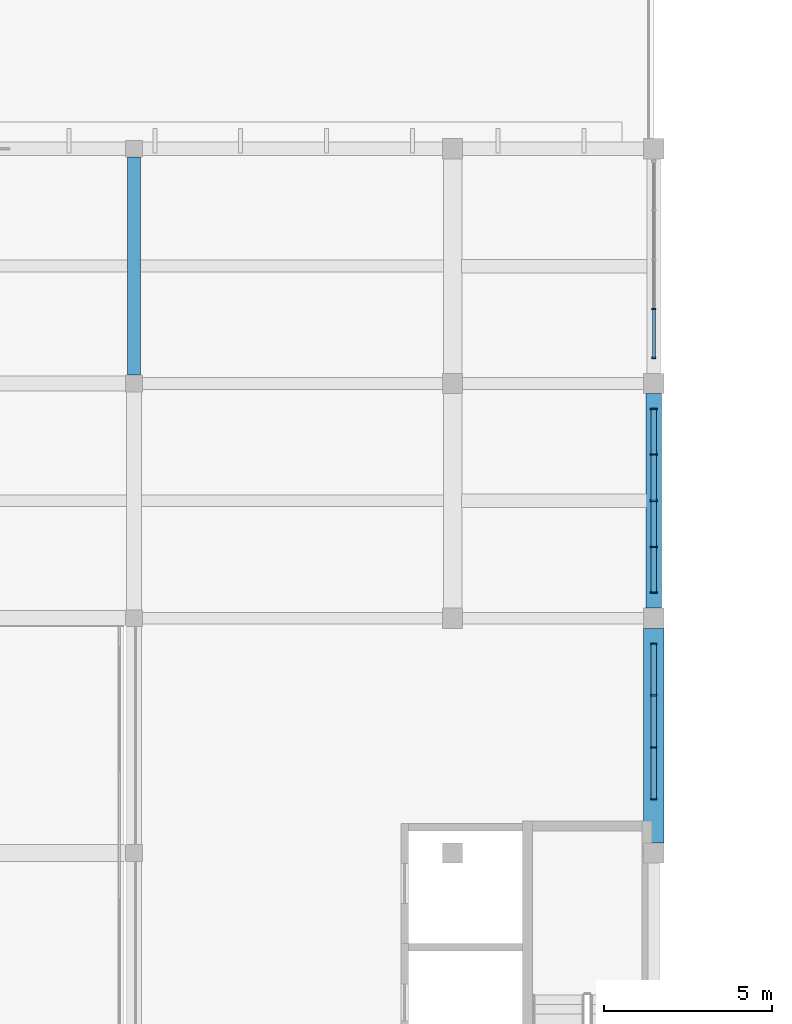
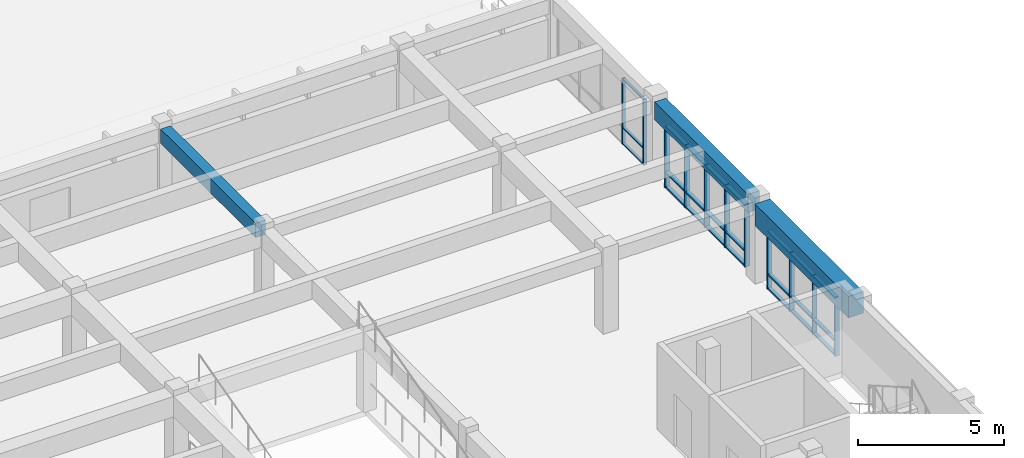
# One storey, part 14 of 33: 35 members, 3 beams, 3 elements without a shape of their own.
"""IFC4 building model written with IfcOpenShell, lengths in metres."""

from ifc_helpers import new_model, si_unit, direction, frame, origin, origin_2d, place, context, subcontext, project, spatial, rectangle, extrude, material, material_profile, profile_set, type_object, element, aggregate, save


model = new_model("IFC4")

# Units and contexts
model_context = context("Model", 3, precision=1e-05, world=origin(), true_north=direction((0.0, 1.0)))
body_context = subcontext(model_context, "Body", "Model", "MODEL_VIEW")
ifc_project = project(units=[si_unit("LENGTHUNIT", "METRE"), si_unit("AREAUNIT", "SQUARE_METRE"), si_unit("VOLUMEUNIT", "CUBIC_METRE"), si_unit("PLANEANGLEUNIT", "RADIAN"), si_unit("MASSUNIT", "GRAM", prefix="KILO")], contexts=[model_context])

# Site, building, storey
site_placement = place(None, origin())
site = spatial("IfcSite", under=ifc_project, at=site_placement, CompositionType="ELEMENT")
building_placement = place(site_placement, origin())
building = spatial("IfcBuilding", under=site, at=building_placement, Name="Larkveld Mobility Hub", CompositionType="ELEMENT")
storey_placement = place(building_placement, frame((0.0, 0.0, 15.60009765625)))
storey = spatial("IfcBuildingStorey", under=building, at=storey_placement, Name="L04", CompositionType="ELEMENT", Elevation=15.60009765625)

# Beams
ifc_material_1 = material(Name="Concrete C40/50", Category="concrete")
ifc_material_profile_1 = material_profile(ifc_material_1, rectangle(XDim=0.39990234375, YDim=0.60009765625, at=origin_2d()), Name="RC BM 400x600")
ifc_profile_set_1 = profile_set([ifc_material_profile_1], Name="Concrete C40/50")
beam_type_1 = type_object("IfcBeamType", Name="BM-RC4060", PredefinedType="BEAM", material=ifc_profile_set_1)
beam_1_placement = place(storey_placement, frame((136.5, 77.25, 3.059814453125), z_axis=(0.0, 1.0, 0.0), x_axis=(-1.0, 0.0, 0.0)))
element("IfcBeam", 1, at=beam_1_placement, inside=storey, type_object=beam_type_1, Name="Primary N-S Girder L04-0922", PredefinedType="BEAM", context=body_context, shape_type="SweptSolid", body=[
    extrude(rectangle(XDim=0.39990234375, YDim=0.60009765625, at=origin_2d()), origin(), (0.0, 0.0, 1.0), 6.5),
])
ifc_material_profile_2 = material_profile(ifc_material_1, rectangle(XDim=0.449951171875, YDim=0.75, at=origin_2d()), Name="RC BM 450x750")
ifc_profile_set_2 = profile_set([ifc_material_profile_2], Name="Concrete C40/50")
beam_type_2 = type_object("IfcBeamType", Name="BM-RC4575", PredefinedType="BEAM", material=ifc_profile_set_2)
beam_2_placement = place(storey_placement, frame((152.0, 70.300048828125, 2.98486328125), z_axis=(0.0, 1.0, 0.0), x_axis=(-1.0, 0.0, 0.0)))
element("IfcBeam", 2, at=beam_2_placement, inside=storey, type_object=beam_type_2, Name="Primary N-S Girder L04-0939", PredefinedType="BEAM", context=body_context, shape_type="SweptSolid", body=[
    extrude(rectangle(XDim=0.449951171875, YDim=0.75, at=origin_2d()), origin(), (0.0, 0.0, 1.0), 6.39990234375),
])
ifc_material_profile_3 = material_profile(ifc_material_1, rectangle(XDim=0.60009765625, YDim=0.89990234375, at=origin_2d()), Name="RC BM 600x900")
ifc_profile_set_3 = profile_set([ifc_material_profile_3], Name="Concrete C40/50")
beam_type_3 = type_object("IfcBeamType", Name="BM-RC6090", PredefinedType="BEAM", material=ifc_profile_set_3)
beam_3_placement = place(storey_placement, frame((152.0, 63.300048828125, 2.909912109375), z_axis=(0.0, 1.0, 0.0), x_axis=(-1.0, 0.0, 0.0)))
element("IfcBeam", 3, at=beam_3_placement, inside=storey, type_object=beam_type_3, Name="Primary N-S Girder L04-0938", PredefinedType="BEAM", context=body_context, shape_type="SweptSolid", body=[
    extrude(rectangle(XDim=0.60009765625, YDim=0.89990234375, at=origin_2d()), origin(), (0.0, 0.0, 1.0), 6.39990234375),
])

# Curtain wall, members
ifc_material_2 = material(Name="Anodised aluminium 6063-T6", Category="aluminium")
curtain_wall_type_1 = type_object("IfcCurtainWallType", Name="CW-SYS-02", PredefinedType="NOTDEFINED", material=ifc_material_2)
curtain_wall_1_placement = place(storey_placement, origin())
curtain_wall_1 = element("IfcCurtainWall", 4, at=curtain_wall_1_placement, inside=storey, type_object=curtain_wall_type_1, Name="Upper Mobility and Sports East Glazing L04 CW-158", PredefinedType="NOTDEFINED")
ifc_material_profile_4 = material_profile(ifc_material_2, rectangle(XDim=0.050048828125, YDim=0.179931640625, at=origin_2d()), Name="ALU MULL 50x180")
ifc_profile_set_4 = profile_set([ifc_material_profile_4], Name="Anodised aluminium 6063-T6")
member_type_1 = type_object("IfcMemberType", Name="CW-MUL-02", PredefinedType="MULLION", material=ifc_profile_set_4)
member_1_placement = place(storey_placement, frame((152.0, 64.60498046875, -0.002197265625), z_axis=(0.0, 0.0, 1.0), x_axis=(0.0, 1.0, 0.0)))
member_1 = element("IfcMember", 5, at=member_1_placement, type_object=member_type_1, Name="CW02 mullion 1", PredefinedType="MULLION", context=body_context, shape_type="SweptSolid", body=[
    extrude(rectangle(XDim=0.050048828125, YDim=0.179931640625, at=origin_2d()), origin(), (0.0, 0.0, 1.0), 2.462158203125),
])
member_2_placement = place(storey_placement, frame((152.0, 66.139892578125, -0.002197265625), z_axis=(0.0, 0.0, 1.0), x_axis=(0.0, 1.0, 0.0)))
member_2 = element("IfcMember", 6, at=member_2_placement, type_object=member_type_1, Name="CW02 mullion 2", PredefinedType="MULLION", context=body_context, shape_type="SweptSolid", body=[
    extrude(rectangle(XDim=0.050048828125, YDim=0.179931640625, at=origin_2d()), origin(), (0.0, 0.0, 1.0), 2.462158203125),
])
member_3_placement = place(storey_placement, frame((152.0, 67.699951171875, -0.002197265625), z_axis=(0.0, 0.0, 1.0), x_axis=(0.0, 1.0, 0.0)))
member_3 = element("IfcMember", 7, at=member_3_placement, type_object=member_type_1, Name="CW02 mullion 3", PredefinedType="MULLION", context=body_context, shape_type="SweptSolid", body=[
    extrude(rectangle(XDim=0.050048828125, YDim=0.179931640625, at=origin_2d()), origin(), (0.0, 0.0, 1.0), 2.462158203125),
])
member_4_placement = place(storey_placement, frame((152.0, 69.235107421875, -0.002197265625), z_axis=(0.0, 0.0, 1.0), x_axis=(0.0, 1.0, 0.0)))
member_4 = element("IfcMember", 8, at=member_4_placement, type_object=member_type_1, Name="CW02 mullion 4", PredefinedType="MULLION", context=body_context, shape_type="SweptSolid", body=[
    extrude(rectangle(XDim=0.050048828125, YDim=0.179931640625, at=origin_2d()), origin(), (0.0, 0.0, 1.0), 2.462158203125),
])

curtain_wall_type_2 = type_object("IfcCurtainWallType", Name="CW-SYS-03", PredefinedType="NOTDEFINED", material=ifc_material_2)
curtain_wall_2_placement = place(storey_placement, origin())
curtain_wall_2 = element("IfcCurtainWall", 9, at=curtain_wall_2_placement, inside=storey, type_object=curtain_wall_type_2, Name="Upper Mobility and Sports East Glazing L04 CW-159", PredefinedType="NOTDEFINED")
ifc_material_profile_5 = material_profile(ifc_material_2, rectangle(XDim=0.050048828125, YDim=0.2099609375, at=origin_2d()), Name="ALU MULL 50x210")
ifc_profile_set_5 = profile_set([ifc_material_profile_5], Name="Anodised aluminium 6063-T6")
member_type_2 = type_object("IfcMemberType", Name="CW-MUL-03", PredefinedType="MULLION", material=ifc_profile_set_5)
member_5_placement = place(storey_placement, frame((152.0, 70.764892578125, -0.002197265625), z_axis=(0.0, 0.0, 1.0), x_axis=(0.0, 1.0, 0.0)))
member_5 = element("IfcMember", 10, at=member_5_placement, type_object=member_type_2, Name="CW03 mullion 1", PredefinedType="MULLION", context=body_context, shape_type="SweptSolid", body=[
    extrude(rectangle(XDim=0.050048828125, YDim=0.2099609375, at=origin_2d()), origin(), (0.0, 0.0, 1.0), 2.612060546875),
])
member_6_placement = place(storey_placement, frame((152.0, 72.1201171875, -0.002197265625), z_axis=(0.0, 0.0, 1.0), x_axis=(0.0, 1.0, 0.0)))
member_6 = element("IfcMember", 11, at=member_6_placement, type_object=member_type_2, Name="CW03 mullion 2", PredefinedType="MULLION", context=body_context, shape_type="SweptSolid", body=[
    extrude(rectangle(XDim=0.050048828125, YDim=0.2099609375, at=origin_2d()), origin(), (0.0, 0.0, 1.0), 2.612060546875),
])
member_7_placement = place(storey_placement, frame((152.0, 73.5, -0.002197265625), z_axis=(0.0, 0.0, 1.0), x_axis=(0.0, 1.0, 0.0)))
member_7 = element("IfcMember", 12, at=member_7_placement, type_object=member_type_2, Name="CW03 mullion 3", PredefinedType="MULLION", context=body_context, shape_type="SweptSolid", body=[
    extrude(rectangle(XDim=0.050048828125, YDim=0.2099609375, at=origin_2d()), origin(), (0.0, 0.0, 1.0), 2.612060546875),
])
member_8_placement = place(storey_placement, frame((152.0, 74.8798828125, -0.002197265625), z_axis=(0.0, 0.0, 1.0), x_axis=(0.0, 1.0, 0.0)))
member_8 = element("IfcMember", 13, at=member_8_placement, type_object=member_type_2, Name="CW03 mullion 4", PredefinedType="MULLION", context=body_context, shape_type="SweptSolid", body=[
    extrude(rectangle(XDim=0.050048828125, YDim=0.2099609375, at=origin_2d()), origin(), (0.0, 0.0, 1.0), 2.612060546875),
])
member_9_placement = place(storey_placement, frame((152.0, 76.235107421875, -0.002197265625), z_axis=(0.0, 0.0, 1.0), x_axis=(0.0, 1.0, 0.0)))
member_9 = element("IfcMember", 14, at=member_9_placement, type_object=member_type_2, Name="CW03 mullion 5", PredefinedType="MULLION", context=body_context, shape_type="SweptSolid", body=[
    extrude(rectangle(XDim=0.050048828125, YDim=0.2099609375, at=origin_2d()), origin(), (0.0, 0.0, 1.0), 2.612060546875),
])

curtain_wall_type_3 = type_object("IfcCurtainWallType", Name="CW-SYS-04", PredefinedType="NOTDEFINED", material=ifc_material_2)
curtain_wall_3_placement = place(storey_placement, origin())
curtain_wall_3 = element("IfcCurtainWall", 15, at=curtain_wall_3_placement, inside=storey, type_object=curtain_wall_type_3, Name="Upper Mobility and Sports East Glazing L04 CW-160", PredefinedType="NOTDEFINED")
ifc_material_profile_6 = material_profile(ifc_material_2, rectangle(XDim=0.050048828125, YDim=0.1298828125, at=origin_2d()), Name="ALU MULL 50x130")
ifc_profile_set_6 = profile_set([ifc_material_profile_6], Name="Anodised aluminium 6063-T6")
member_type_3 = type_object("IfcMemberType", Name="CW-MUL-04", PredefinedType="MULLION", material=ifc_profile_set_6)
member_10_placement = place(storey_placement, frame((152.0, 77.764892578125, -0.002197265625), z_axis=(0.0, 0.0, 1.0), x_axis=(0.0, 1.0, 0.0)))
member_10 = element("IfcMember", 16, at=member_10_placement, type_object=member_type_3, Name="CW04 mullion 1", PredefinedType="MULLION", context=body_context, shape_type="SweptSolid", body=[
    extrude(rectangle(XDim=0.050048828125, YDim=0.1298828125, at=origin_2d()), origin(), (0.0, 0.0, 1.0), 2.76220703125),
])
member_11_placement = place(storey_placement, frame((152.0, 79.218017578125, -0.002197265625), z_axis=(0.0, 0.0, 1.0), x_axis=(0.0, 1.0, 0.0)))
member_11 = element("IfcMember", 17, at=member_11_placement, type_object=member_type_3, Name="CW04 mullion 2", PredefinedType="MULLION", context=body_context, shape_type="SweptSolid", body=[
    extrude(rectangle(XDim=0.050048828125, YDim=0.1298828125, at=origin_2d()), origin(), (0.0, 0.0, 1.0), 2.76220703125),
])

# Member
ifc_material_profile_7 = material_profile(ifc_material_2, rectangle(XDim=0.14990234375, YDim=0.050048828125, at=origin_2d()), Name="ALU TRAN 50x150")
ifc_profile_set_7 = profile_set([ifc_material_profile_7], Name="Anodised aluminium 6063-T6")
member_type_4 = type_object("IfcMemberType", Name="CW-TRN-02", PredefinedType="USERDEFINED", material=ifc_profile_set_7)
member_12_placement = place(storey_placement, frame((152.0, 64.614990234375, 0.02978515625), z_axis=(0.0, 1.0, 0.0), x_axis=(-1.0, 0.0, 0.0)))
member_12 = element("IfcMember", 18, at=member_12_placement, type_object=member_type_4, Name="CW02 transom 1.1", ObjectType="TRANSOM", PredefinedType="USERDEFINED", context=body_context, shape_type="SweptSolid", body=[
    extrude(rectangle(XDim=0.14990234375, YDim=0.050048828125, at=origin_2d()), origin(), (0.0, 0.0, 1.0), 1.510009765625),
])

member_13_placement = place(storey_placement, frame((152.0, 64.614990234375, 0.614990234375), z_axis=(0.0, 1.0, 0.0), x_axis=(-1.0, 0.0, 0.0)))
member_13 = element("IfcMember", 19, at=member_13_placement, type_object=member_type_4, Name="CW02 transom 1.2", ObjectType="TRANSOM", PredefinedType="USERDEFINED", context=body_context, shape_type="SweptSolid", body=[
    extrude(rectangle(XDim=0.14990234375, YDim=0.050048828125, at=origin_2d()), origin(), (0.0, 0.0, 1.0), 1.510009765625),
])

member_14_placement = place(storey_placement, frame((152.0, 64.614990234375, 2.427978515625), z_axis=(0.0, 1.0, 0.0), x_axis=(-1.0, 0.0, 0.0)))
member_14 = element("IfcMember", 20, at=member_14_placement, type_object=member_type_4, Name="CW02 transom 1.3", ObjectType="TRANSOM", PredefinedType="USERDEFINED", context=body_context, shape_type="SweptSolid", body=[
    extrude(rectangle(XDim=0.14990234375, YDim=0.050048828125, at=origin_2d()), origin(), (0.0, 0.0, 1.0), 1.510009765625),
])

member_15_placement = place(storey_placement, frame((152.0, 66.155029296875, 0.02978515625), z_axis=(0.0, 1.0, 0.0), x_axis=(-1.0, 0.0, 0.0)))
member_15 = element("IfcMember", 21, at=member_15_placement, type_object=member_type_4, Name="CW02 transom 2.1", ObjectType="TRANSOM", PredefinedType="USERDEFINED", context=body_context, shape_type="SweptSolid", body=[
    extrude(rectangle(XDim=0.14990234375, YDim=0.050048828125, at=origin_2d()), origin(), (0.0, 0.0, 1.0), 1.530029296875),
])

member_16_placement = place(storey_placement, frame((152.0, 66.155029296875, 0.614990234375), z_axis=(0.0, 1.0, 0.0), x_axis=(-1.0, 0.0, 0.0)))
member_16 = element("IfcMember", 22, at=member_16_placement, type_object=member_type_4, Name="CW02 transom 2.2", ObjectType="TRANSOM", PredefinedType="USERDEFINED", context=body_context, shape_type="SweptSolid", body=[
    extrude(rectangle(XDim=0.14990234375, YDim=0.050048828125, at=origin_2d()), origin(), (0.0, 0.0, 1.0), 1.530029296875),
])

member_17_placement = place(storey_placement, frame((152.0, 66.155029296875, 2.427978515625), z_axis=(0.0, 1.0, 0.0), x_axis=(-1.0, 0.0, 0.0)))
member_17 = element("IfcMember", 23, at=member_17_placement, type_object=member_type_4, Name="CW02 transom 2.3", ObjectType="TRANSOM", PredefinedType="USERDEFINED", context=body_context, shape_type="SweptSolid", body=[
    extrude(rectangle(XDim=0.14990234375, YDim=0.050048828125, at=origin_2d()), origin(), (0.0, 0.0, 1.0), 1.530029296875),
])

member_18_placement = place(storey_placement, frame((152.0, 67.715087890625, 0.02978515625), z_axis=(0.0, 1.0, 0.0), x_axis=(-1.0, 0.0, 0.0)))
member_18 = element("IfcMember", 24, at=member_18_placement, type_object=member_type_4, Name="CW02 transom 3.1", ObjectType="TRANSOM", PredefinedType="USERDEFINED", context=body_context, shape_type="SweptSolid", body=[
    extrude(rectangle(XDim=0.14990234375, YDim=0.050048828125, at=origin_2d()), origin(), (0.0, 0.0, 1.0), 1.510009765625),
])

member_19_placement = place(storey_placement, frame((152.0, 67.715087890625, 0.614990234375), z_axis=(0.0, 1.0, 0.0), x_axis=(-1.0, 0.0, 0.0)))
member_19 = element("IfcMember", 25, at=member_19_placement, type_object=member_type_4, Name="CW02 transom 3.2", ObjectType="TRANSOM", PredefinedType="USERDEFINED", context=body_context, shape_type="SweptSolid", body=[
    extrude(rectangle(XDim=0.14990234375, YDim=0.050048828125, at=origin_2d()), origin(), (0.0, 0.0, 1.0), 1.510009765625),
])

member_20_placement = place(storey_placement, frame((152.0, 67.715087890625, 2.427978515625), z_axis=(0.0, 1.0, 0.0), x_axis=(-1.0, 0.0, 0.0)))
member_20 = element("IfcMember", 26, at=member_20_placement, type_object=member_type_4, Name="CW02 transom 3.3", ObjectType="TRANSOM", PredefinedType="USERDEFINED", context=body_context, shape_type="SweptSolid", body=[
    extrude(rectangle(XDim=0.14990234375, YDim=0.050048828125, at=origin_2d()), origin(), (0.0, 0.0, 1.0), 1.510009765625),
])

aggregate(curtain_wall_1, [member_1, member_2, member_3, member_4, member_12, member_13, member_14, member_15, member_16, member_17, member_18, member_19, member_20])

ifc_material_profile_8 = material_profile(ifc_material_2, rectangle(XDim=0.169921875, YDim=0.050048828125, at=origin_2d()), Name="ALU TRAN 50x170")
ifc_profile_set_8 = profile_set([ifc_material_profile_8], Name="Anodised aluminium 6063-T6")
member_type_5 = type_object("IfcMemberType", Name="CW-TRN-03", PredefinedType="USERDEFINED", material=ifc_profile_set_8)
member_21_placement = place(storey_placement, frame((152.0, 70.77490234375, 0.02978515625), z_axis=(0.0, 1.0, 0.0), x_axis=(-1.0, 0.0, 0.0)))
member_21 = element("IfcMember", 27, at=member_21_placement, type_object=member_type_5, Name="CW03 transom 1.1", ObjectType="TRANSOM", PredefinedType="USERDEFINED", context=body_context, shape_type="SweptSolid", body=[
    extrude(rectangle(XDim=0.169921875, YDim=0.050048828125, at=origin_2d()), origin(), (0.0, 0.0, 1.0), 1.330078125),
])

member_22_placement = place(storey_placement, frame((152.0, 70.77490234375, 0.65185546875), z_axis=(0.0, 1.0, 0.0), x_axis=(-1.0, 0.0, 0.0)))
member_22 = element("IfcMember", 28, at=member_22_placement, type_object=member_type_5, Name="CW03 transom 1.2", ObjectType="TRANSOM", PredefinedType="USERDEFINED", context=body_context, shape_type="SweptSolid", body=[
    extrude(rectangle(XDim=0.169921875, YDim=0.050048828125, at=origin_2d()), origin(), (0.0, 0.0, 1.0), 1.330078125),
])

member_23_placement = place(storey_placement, frame((152.0, 70.77490234375, 2.577880859375), z_axis=(0.0, 1.0, 0.0), x_axis=(-1.0, 0.0, 0.0)))
member_23 = element("IfcMember", 29, at=member_23_placement, type_object=member_type_5, Name="CW03 transom 1.3", ObjectType="TRANSOM", PredefinedType="USERDEFINED", context=body_context, shape_type="SweptSolid", body=[
    extrude(rectangle(XDim=0.169921875, YDim=0.050048828125, at=origin_2d()), origin(), (0.0, 0.0, 1.0), 1.330078125),
])

member_24_placement = place(storey_placement, frame((152.0, 72.135009765625, 0.02978515625), z_axis=(0.0, 1.0, 0.0), x_axis=(-1.0, 0.0, 0.0)))
member_24 = element("IfcMember", 30, at=member_24_placement, type_object=member_type_5, Name="CW03 transom 2.1", ObjectType="TRANSOM", PredefinedType="USERDEFINED", context=body_context, shape_type="SweptSolid", body=[
    extrude(rectangle(XDim=0.169921875, YDim=0.050048828125, at=origin_2d()), origin(), (0.0, 0.0, 1.0), 1.35009765625),
])

member_25_placement = place(storey_placement, frame((152.0, 72.135009765625, 0.65185546875), z_axis=(0.0, 1.0, 0.0), x_axis=(-1.0, 0.0, 0.0)))
member_25 = element("IfcMember", 31, at=member_25_placement, type_object=member_type_5, Name="CW03 transom 2.2", ObjectType="TRANSOM", PredefinedType="USERDEFINED", context=body_context, shape_type="SweptSolid", body=[
    extrude(rectangle(XDim=0.169921875, YDim=0.050048828125, at=origin_2d()), origin(), (0.0, 0.0, 1.0), 1.35009765625),
])

member_26_placement = place(storey_placement, frame((152.0, 72.135009765625, 2.577880859375), z_axis=(0.0, 1.0, 0.0), x_axis=(-1.0, 0.0, 0.0)))
member_26 = element("IfcMember", 32, at=member_26_placement, type_object=member_type_5, Name="CW03 transom 2.3", ObjectType="TRANSOM", PredefinedType="USERDEFINED", context=body_context, shape_type="SweptSolid", body=[
    extrude(rectangle(XDim=0.169921875, YDim=0.050048828125, at=origin_2d()), origin(), (0.0, 0.0, 1.0), 1.35009765625),
])

member_27_placement = place(storey_placement, frame((152.0, 73.514892578125, 0.02978515625), z_axis=(0.0, 1.0, 0.0), x_axis=(-1.0, 0.0, 0.0)))
member_27 = element("IfcMember", 33, at=member_27_placement, type_object=member_type_5, Name="CW03 transom 3.1", ObjectType="TRANSOM", PredefinedType="USERDEFINED", context=body_context, shape_type="SweptSolid", body=[
    extrude(rectangle(XDim=0.169921875, YDim=0.050048828125, at=origin_2d()), origin(), (0.0, 0.0, 1.0), 1.35009765625),
])

member_28_placement = place(storey_placement, frame((152.0, 73.514892578125, 0.65185546875), z_axis=(0.0, 1.0, 0.0), x_axis=(-1.0, 0.0, 0.0)))
member_28 = element("IfcMember", 34, at=member_28_placement, type_object=member_type_5, Name="CW03 transom 3.2", ObjectType="TRANSOM", PredefinedType="USERDEFINED", context=body_context, shape_type="SweptSolid", body=[
    extrude(rectangle(XDim=0.169921875, YDim=0.050048828125, at=origin_2d()), origin(), (0.0, 0.0, 1.0), 1.35009765625),
])

member_29_placement = place(storey_placement, frame((152.0, 73.514892578125, 2.577880859375), z_axis=(0.0, 1.0, 0.0), x_axis=(-1.0, 0.0, 0.0)))
member_29 = element("IfcMember", 35, at=member_29_placement, type_object=member_type_5, Name="CW03 transom 3.3", ObjectType="TRANSOM", PredefinedType="USERDEFINED", context=body_context, shape_type="SweptSolid", body=[
    extrude(rectangle(XDim=0.169921875, YDim=0.050048828125, at=origin_2d()), origin(), (0.0, 0.0, 1.0), 1.35009765625),
])

member_30_placement = place(storey_placement, frame((152.0, 74.89501953125, 0.02978515625), z_axis=(0.0, 1.0, 0.0), x_axis=(-1.0, 0.0, 0.0)))
member_30 = element("IfcMember", 36, at=member_30_placement, type_object=member_type_5, Name="CW03 transom 4.1", ObjectType="TRANSOM", PredefinedType="USERDEFINED", context=body_context, shape_type="SweptSolid", body=[
    extrude(rectangle(XDim=0.169921875, YDim=0.050048828125, at=origin_2d()), origin(), (0.0, 0.0, 1.0), 1.330078125),
])

member_31_placement = place(storey_placement, frame((152.0, 74.89501953125, 0.65185546875), z_axis=(0.0, 1.0, 0.0), x_axis=(-1.0, 0.0, 0.0)))
member_31 = element("IfcMember", 37, at=member_31_placement, type_object=member_type_5, Name="CW03 transom 4.2", ObjectType="TRANSOM", PredefinedType="USERDEFINED", context=body_context, shape_type="SweptSolid", body=[
    extrude(rectangle(XDim=0.169921875, YDim=0.050048828125, at=origin_2d()), origin(), (0.0, 0.0, 1.0), 1.330078125),
])

member_32_placement = place(storey_placement, frame((152.0, 74.89501953125, 2.577880859375), z_axis=(0.0, 1.0, 0.0), x_axis=(-1.0, 0.0, 0.0)))
member_32 = element("IfcMember", 38, at=member_32_placement, type_object=member_type_5, Name="CW03 transom 4.3", ObjectType="TRANSOM", PredefinedType="USERDEFINED", context=body_context, shape_type="SweptSolid", body=[
    extrude(rectangle(XDim=0.169921875, YDim=0.050048828125, at=origin_2d()), origin(), (0.0, 0.0, 1.0), 1.330078125),
])

aggregate(curtain_wall_2, [member_5, member_6, member_7, member_8, member_9, member_21, member_22, member_23, member_24, member_25, member_26, member_27, member_28, member_29, member_30, member_31, member_32])

ifc_material_profile_9 = material_profile(ifc_material_2, rectangle(XDim=0.10009765625, YDim=0.050048828125, at=origin_2d()), Name="ALU TRAN 50x100")
ifc_profile_set_9 = profile_set([ifc_material_profile_9], Name="Anodised aluminium 6063-T6")
member_type_6 = type_object("IfcMemberType", Name="CW-TRN-04", PredefinedType="USERDEFINED", material=ifc_profile_set_9)
member_33_placement = place(storey_placement, frame((152.0, 77.77490234375, 0.02978515625), z_axis=(0.0, 1.0, 0.0), x_axis=(-1.0, 0.0, 0.0)))
member_33 = element("IfcMember", 39, at=member_33_placement, type_object=member_type_6, Name="CW04 transom 1.1", ObjectType="TRANSOM", PredefinedType="USERDEFINED", context=body_context, shape_type="SweptSolid", body=[
    extrude(rectangle(XDim=0.10009765625, YDim=0.050048828125, at=origin_2d()), origin(), (0.0, 0.0, 1.0), 1.427978515625),
])

member_34_placement = place(storey_placement, frame((152.0, 77.77490234375, 0.68994140625), z_axis=(0.0, 1.0, 0.0), x_axis=(-1.0, 0.0, 0.0)))
member_34 = element("IfcMember", 40, at=member_34_placement, type_object=member_type_6, Name="CW04 transom 1.2", ObjectType="TRANSOM", PredefinedType="USERDEFINED", context=body_context, shape_type="SweptSolid", body=[
    extrude(rectangle(XDim=0.10009765625, YDim=0.050048828125, at=origin_2d()), origin(), (0.0, 0.0, 1.0), 1.427978515625),
])

member_35_placement = place(storey_placement, frame((152.0, 77.77490234375, 2.727783203125), z_axis=(0.0, 1.0, 0.0), x_axis=(-1.0, 0.0, 0.0)))
member_35 = element("IfcMember", 41, at=member_35_placement, type_object=member_type_6, Name="CW04 transom 1.3", ObjectType="TRANSOM", PredefinedType="USERDEFINED", context=body_context, shape_type="SweptSolid", body=[
    extrude(rectangle(XDim=0.10009765625, YDim=0.050048828125, at=origin_2d()), origin(), (0.0, 0.0, 1.0), 1.427978515625),
])

aggregate(curtain_wall_3, [member_10, member_11, member_33, member_34, member_35])

save(model, "model.ifc")
